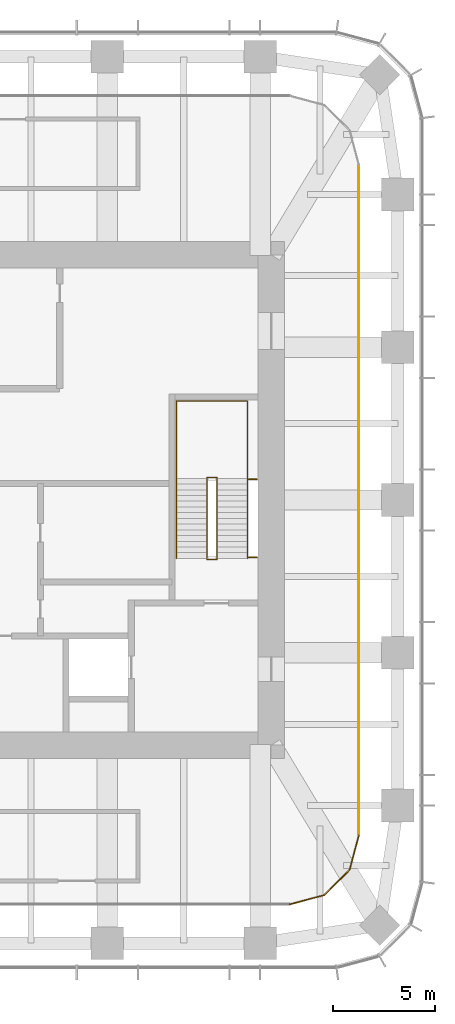
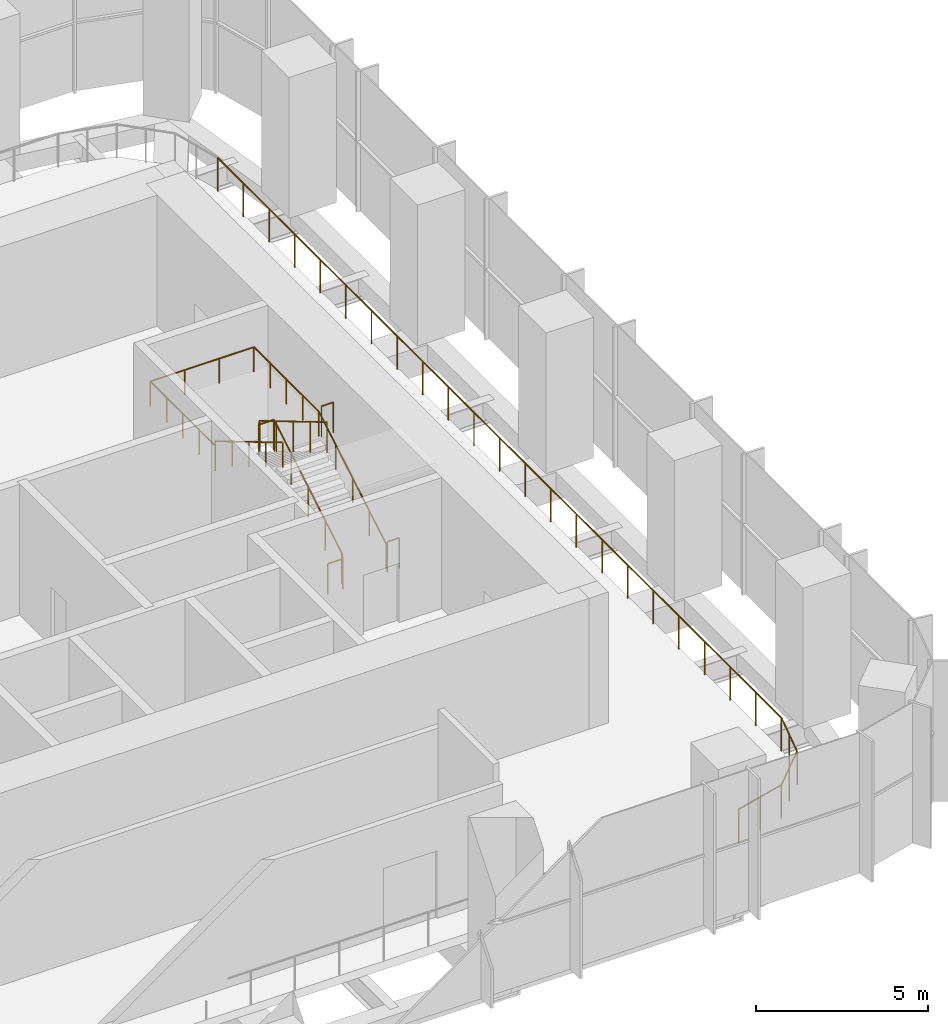
# One storey, part 9 of 10: 6 railings.
"""IFC4 building model written with IfcOpenShell, lengths in metres."""

from ifc_helpers import new_model, si_unit, direction, frame, origin, origin_2d, place, context, subcontext, project, spatial, circle, extrude, material, type_object, element, save


model = new_model("IFC4")

# Units and contexts
model_context = context("Model", 3, precision=1e-05, world=origin(), true_north=direction((0.0, 1.0)))
body_context = subcontext(model_context, "Body", "Model", "MODEL_VIEW")
ifc_project = project(units=[si_unit("LENGTHUNIT", "METRE"), si_unit("AREAUNIT", "SQUARE_METRE"), si_unit("VOLUMEUNIT", "CUBIC_METRE"), si_unit("PLANEANGLEUNIT", "RADIAN"), si_unit("MASSUNIT", "GRAM", prefix="KILO")], contexts=[model_context])

# Site, building, storey
site_placement = place(None, origin())
site = spatial("IfcSite", under=ifc_project, at=site_placement, CompositionType="ELEMENT")
building_placement = place(site_placement, origin())
building = spatial("IfcBuilding", under=site, at=building_placement, Name="Khuree Lantern Residences", CompositionType="ELEMENT")
storey_placement = place(building_placement, frame((0.0, 0.0, 358.25)))
storey = spatial("IfcBuildingStorey", under=building, at=storey_placement, Name="L90", CompositionType="ELEMENT", Elevation=358.25)

# Railings
ifc_material_1 = material(Name="Bronze anodised aluminium balustrade with infill bars", Category="aluminium")
railing_type_1 = type_object("IfcRailingType", Name="GALLERY GUARD G2 1200", PredefinedType="GUARDRAIL", material=ifc_material_1)
railing_1_placement = place(storey_placement, frame((16.39990234375, -19.800048828125, 0.0)))
element("IfcRailing", 1, at=railing_1_placement, inside=storey, type_object=railing_type_1, Name="L90 SOUTH-EAST CORNER GALLERY GUARD", PredefinedType="GUARDRAIL", context=body_context, shape_type="SweptSolid", body=[
    extrude(circle(Radius=0.02392578125, at=origin_2d()), frame((0.0, 0.0, 1.17626953125), z_axis=(0.965925763044, 0.258819281137, 0.0), x_axis=(-0.258819281137, 0.965925763044, 0.0)), (0.0, 0.0, 1.0), 1.76025390625),
    extrude(circle(Radius=0.02392578125, at=origin_2d()), frame((1.7001953125, 0.45556640625, 1.17626953125), z_axis=(0.707106781187, 0.707106781187, 0.0), x_axis=(-0.707106781187, 0.707106781187, 0.0)), (0.0, 0.0, 1.0), 1.759765625),
    extrude(circle(Radius=0.02392578125, at=origin_2d()), frame((2.944580078125, 1.699951171875, 1.17626953125), z_axis=(0.258819281137, 0.965925763044, 0.0), x_axis=(-0.965925763044, 0.258819281137, 0.0)), (0.0, 0.0, 1.0), 1.76025390625),
    extrude(circle(Radius=0.02099609375, at=origin_2d()), origin(), (0.0, 0.0, 1.0), 1.152099609375),
    extrude(circle(Radius=0.02099609375, at=origin_2d()), frame((0.85009765625, 0.227783203125, 0.0)), (0.0, 0.0, 1.0), 1.152099609375),
    extrude(circle(Radius=0.02099609375, at=origin_2d()), frame((1.7001953125, 0.45556640625, 0.0)), (0.0, 0.0, 1.0), 1.152099609375),
    extrude(circle(Radius=0.02099609375, at=origin_2d()), frame((2.322265625, 1.07763671875, 0.0)), (0.0, 0.0, 1.0), 1.152099609375),
    extrude(circle(Radius=0.02099609375, at=origin_2d()), frame((2.944580078125, 1.699951171875, 0.0)), (0.0, 0.0, 1.0), 1.152099609375),
    extrude(circle(Radius=0.02099609375, at=origin_2d()), frame((3.17236328125, 2.550048828125, 0.0)), (0.0, 0.0, 1.0), 1.152099609375),
    extrude(circle(Radius=0.02099609375, at=origin_2d()), frame((3.400146484375, 3.400146484375, 0.0)), (0.0, 0.0, 1.0), 1.152099609375),
])
railing_2_placement = place(storey_placement, frame((19.800048828125, -16.39990234375, 0.0)))
element("IfcRailing", 2, at=railing_2_placement, inside=storey, type_object=railing_type_1, Name="L90 EAST FACE GALLERY GUARD", PredefinedType="GUARDRAIL", context=body_context, shape_type="SweptSolid", body=[
    extrude(circle(Radius=0.02392578125, at=origin_2d()), frame((0.0, 0.0, 1.17626953125), z_axis=(0.0, 1.0, 0.0), x_axis=(-1.0, 0.0, 0.0)), (0.0, 0.0, 1.0), 32.7998046875),
    extrude(circle(Radius=0.02099609375, at=origin_2d()), origin(), (0.0, 0.0, 1.0), 1.152099609375),
    extrude(circle(Radius=0.02099609375, at=origin_2d()), frame((0.0, 1.490966796875, 0.0)), (0.0, 0.0, 1.0), 1.152099609375),
    extrude(circle(Radius=0.02099609375, at=origin_2d()), frame((0.0, 2.981689453125, 0.0)), (0.0, 0.0, 1.0), 1.152099609375),
    extrude(circle(Radius=0.02099609375, at=origin_2d()), frame((0.0, 4.47265625, 0.0)), (0.0, 0.0, 1.0), 1.152099609375),
    extrude(circle(Radius=0.02099609375, at=origin_2d()), frame((0.0, 5.963623046875, 0.0)), (0.0, 0.0, 1.0), 1.152099609375),
    extrude(circle(Radius=0.02099609375, at=origin_2d()), frame((0.0, 7.45458984375, 0.0)), (0.0, 0.0, 1.0), 1.152099609375),
    extrude(circle(Radius=0.02099609375, at=origin_2d()), frame((0.0, 8.9453125, 0.0)), (0.0, 0.0, 1.0), 1.152099609375),
    extrude(circle(Radius=0.02099609375, at=origin_2d()), frame((0.0, 10.436279296875, 0.0)), (0.0, 0.0, 1.0), 1.152099609375),
    extrude(circle(Radius=0.02099609375, at=origin_2d()), frame((0.0, 11.92724609375, 0.0)), (0.0, 0.0, 1.0), 1.152099609375),
    extrude(circle(Radius=0.02099609375, at=origin_2d()), frame((0.0, 13.418212890625, 0.0)), (0.0, 0.0, 1.0), 1.152099609375),
    extrude(circle(Radius=0.02099609375, at=origin_2d()), frame((0.0, 14.908935546875, 0.0)), (0.0, 0.0, 1.0), 1.152099609375),
    extrude(circle(Radius=0.02099609375, at=origin_2d()), frame((0.0, 16.39990234375, 0.0)), (0.0, 0.0, 1.0), 1.152099609375),
    extrude(circle(Radius=0.02099609375, at=origin_2d()), frame((0.0, 17.890869140625, 0.0)), (0.0, 0.0, 1.0), 1.152099609375),
    extrude(circle(Radius=0.02099609375, at=origin_2d()), frame((0.0, 19.381591796875, 0.0)), (0.0, 0.0, 1.0), 1.152099609375),
    extrude(circle(Radius=0.02099609375, at=origin_2d()), frame((0.0, 20.87255859375, 0.0)), (0.0, 0.0, 1.0), 1.152099609375),
    extrude(circle(Radius=0.02099609375, at=origin_2d()), frame((0.0, 22.363525390625, 0.0)), (0.0, 0.0, 1.0), 1.152099609375),
    extrude(circle(Radius=0.02099609375, at=origin_2d()), frame((0.0, 23.8544921875, 0.0)), (0.0, 0.0, 1.0), 1.152099609375),
    extrude(circle(Radius=0.02099609375, at=origin_2d()), frame((0.0, 25.34521484375, 0.0)), (0.0, 0.0, 1.0), 1.152099609375),
    extrude(circle(Radius=0.02099609375, at=origin_2d()), frame((0.0, 26.836181640625, 0.0)), (0.0, 0.0, 1.0), 1.152099609375),
    extrude(circle(Radius=0.02099609375, at=origin_2d()), frame((0.0, 28.3271484375, 0.0)), (0.0, 0.0, 1.0), 1.152099609375),
    extrude(circle(Radius=0.02099609375, at=origin_2d()), frame((0.0, 29.818115234375, 0.0)), (0.0, 0.0, 1.0), 1.152099609375),
    extrude(circle(Radius=0.02099609375, at=origin_2d()), frame((0.0, 31.308837890625, 0.0)), (0.0, 0.0, 1.0), 1.152099609375),
    extrude(circle(Radius=0.02099609375, at=origin_2d()), frame((0.0, 32.7998046875, 0.0)), (0.0, 0.0, 1.0), 1.152099609375),
])
ifc_material_2 = material(Name="Steel S355", Category="steel")
railing_type_2 = type_object("IfcRailingType", Name="STAIR GUARD G1 1100", PredefinedType="GUARDRAIL", material=ifc_material_2)
railing_3_placement = place(storey_placement, frame((12.35009765625, -2.909912109375, 0.0)))
element("IfcRailing", 3, at=railing_3_placement, inside=storey, type_object=railing_type_2, Name="Stair ST2 guard", PredefinedType="GUARDRAIL", context=body_context, shape_type="SweptSolid", body=[
    extrude(circle(Radius=0.02392578125, at=origin_2d()), frame((0.0, 0.0, 1.076171875), z_axis=(1.0, 0.0, 0.0), x_axis=(0.0, 1.0, 0.0)), (0.0, 0.0, 1.0), 0.5),
    extrude(circle(Radius=0.02392578125, at=origin_2d()), frame((0.5, 0.0, 1.076171875), z_axis=(0.0, 0.286189326841, 0.958173089375), x_axis=(-1.0, 0.0, 0.0)), (0.0, 0.0, 1.0), 0.174072265625),
    extrude(circle(Radius=0.02392578125, at=origin_2d()), frame((0.5, 0.0498046875, 1.24267578125), z_axis=(0.0, 0.859310244771, 0.511454693235), x_axis=(-1.0, 0.0, 0.0)), (0.0, 0.0, 1.0), 4.56201171875),
    extrude(circle(Radius=0.02392578125, at=origin_2d()), frame((0.5, 3.969970703125, 3.576171875), z_axis=(0.0, 1.0, 0.0), x_axis=(-1.0, 0.0, 0.0)), (0.0, 0.0, 1.0), 0.050048828125),
    extrude(circle(Radius=0.02392578125, at=origin_2d()), frame((0.5, 4.02001953125, 3.576171875), z_axis=(-1.0, 0.0, 0.0), x_axis=(0.0, -1.0, 0.0)), (0.0, 0.0, 1.0), 0.5),
    extrude(circle(Radius=0.02392578125, at=origin_2d()), frame((0.0, 4.02001953125, 3.576171875), z_axis=(0.0, -0.287476536604, 0.957787680492), x_axis=(1.0, 0.0, 0.0)), (0.0, 0.0, 1.0), 0.174072265625),
    extrude(circle(Radius=0.02392578125, at=origin_2d()), frame((0.0, 3.969970703125, 3.74267578125), z_axis=(0.0, -0.859310244771, 0.511454693235), x_axis=(1.0, 0.0, 0.0)), (0.0, 0.0, 1.0), 4.56201171875),
    extrude(circle(Radius=0.02099609375, at=origin_2d()), origin(), (0.0, 0.0, 1.0), 1.052001953125),
    extrude(circle(Radius=0.02099609375, at=origin_2d()), frame((0.5, 0.0, 0.0)), (0.0, 0.0, 1.0), 1.052001953125),
    extrude(circle(Radius=0.02099609375, at=origin_2d()), frame((0.5, 0.0498046875, 0.166748046875)), (0.0, 0.0, 1.0), 1.052001953125),
    extrude(circle(Radius=0.02099609375, at=origin_2d()), frame((0.5, 1.02978515625, 0.75)), (0.0, 0.0, 1.0), 1.052001953125),
    extrude(circle(Radius=0.02099609375, at=origin_2d()), frame((0.5, 2.009765625, 1.33349609375)), (0.0, 0.0, 1.0), 1.052001953125),
    extrude(circle(Radius=0.02099609375, at=origin_2d()), frame((0.5, 2.989990234375, 1.916748046875)), (0.0, 0.0, 1.0), 1.052001953125),
    extrude(circle(Radius=0.02099609375, at=origin_2d()), frame((0.5, 3.969970703125, 2.5)), (0.0, 0.0, 1.0), 1.052001953125),
    extrude(circle(Radius=0.02099609375, at=origin_2d()), frame((0.5, 4.02001953125, 2.5)), (0.0, 0.0, 1.0), 1.052001953125),
    extrude(circle(Radius=0.02099609375, at=origin_2d()), frame((0.0, 4.02001953125, 2.5)), (0.0, 0.0, 1.0), 1.052001953125),
    extrude(circle(Radius=0.02099609375, at=origin_2d()), frame((0.0, 3.969970703125, 2.666748046875)), (0.0, 0.0, 1.0), 1.052001953125),
    extrude(circle(Radius=0.02099609375, at=origin_2d()), frame((0.0, 2.989990234375, 3.25)), (0.0, 0.0, 1.0), 1.052001953125),
    extrude(circle(Radius=0.02099609375, at=origin_2d()), frame((0.0, 2.009765625, 3.83349609375)), (0.0, 0.0, 1.0), 1.052001953125),
    extrude(circle(Radius=0.02099609375, at=origin_2d()), frame((0.0, 1.02978515625, 4.416748046875)), (0.0, 0.0, 1.0), 1.052001953125),
    extrude(circle(Radius=0.02099609375, at=origin_2d()), frame((0.0, 0.0498046875, 5.0)), (0.0, 0.0, 1.0), 1.052001953125),
])
for number, where, name in (
    (4, (14.800048828125, -2.81005859375, 0.0), "Stair ST2 landing slot guard"),
    (5, (14.800048828125, 1.010009765625, 2.5), "Stair ST2 landing slot guard"),
):
    element("IfcRailing", number, at=place(storey_placement, frame(where)), inside=storey, type_object=railing_type_2, Name=name, PredefinedType="GUARDRAIL", context=body_context, shape_type="SweptSolid", body=[
        extrude(circle(Radius=0.02392578125, at=origin_2d()), frame((0.0, 0.0, 1.076171875), z_axis=(-1.0, 0.0, 0.0), x_axis=(0.0, -1.0, 0.0)), (0.0, 0.0, 1.0), 0.400146484375),
        extrude(circle(Radius=0.02099609375, at=origin_2d()), origin(), (0.0, 0.0, 1.0), 1.052001953125),
        extrude(circle(Radius=0.02099609375, at=origin_2d()), frame((-0.400146484375, 0.0, 0.0)), (0.0, 0.0, 1.0), 1.052001953125),
    ])
railing_type_3 = type_object("IfcRailingType", Name="STAIR HANDRAIL H1 900", PredefinedType="HANDRAIL", material=ifc_material_2)
railing_4_placement = place(storey_placement, frame((14.340087890625, -2.860107421875, 0.166748046875)))
element("IfcRailing", 6, at=railing_4_placement, inside=storey, type_object=railing_type_3, Name="Stair ST2 handrail", PredefinedType="HANDRAIL", context=body_context, shape_type="SweptSolid", body=[
    extrude(circle(Radius=0.02392578125, at=origin_2d()), frame((0.0, 0.0, 0.8759765625), z_axis=(0.0, 0.859310244771, 0.511454693235), x_axis=(-1.0, 0.0, 0.0)), (0.0, 0.0, 1.0), 4.56201171875),
    extrude(circle(Radius=0.02392578125, at=origin_2d()), frame((0.0, 3.920166015625, 3.208984375), z_axis=(0.0, 1.0, 0.0), x_axis=(-1.0, 0.0, 0.0)), (0.0, 0.0, 1.0), 3.780029296875),
    extrude(circle(Radius=0.02392578125, at=origin_2d()), frame((0.0, 7.7001953125, 3.208984375), z_axis=(-1.0, 0.0, 0.0), x_axis=(0.0, -1.0, 0.0)), (0.0, 0.0, 1.0), 3.47998046875),
    extrude(circle(Radius=0.02392578125, at=origin_2d()), frame((-3.47998046875, 7.7001953125, 3.208984375), z_axis=(0.0, -1.0, 0.0), x_axis=(1.0, 0.0, 0.0)), (0.0, 0.0, 1.0), 3.780029296875),
    extrude(circle(Radius=0.02392578125, at=origin_2d()), frame((-3.47998046875, 3.920166015625, 3.208984375), z_axis=(0.0, 0.0, 1.0), x_axis=(1.0, 0.0, 0.0)), (0.0, 0.0, 1.0), 0.166748046875),
    extrude(circle(Radius=0.02392578125, at=origin_2d()), frame((-3.47998046875, 3.920166015625, 3.3759765625), z_axis=(0.0, -0.859310244771, 0.511454693235), x_axis=(1.0, 0.0, 0.0)), (0.0, 0.0, 1.0), 4.56201171875),
    extrude(circle(Radius=0.02099609375, at=origin_2d()), origin(), (0.0, 0.0, 1.0), 0.851806640625),
    extrude(circle(Radius=0.02099609375, at=origin_2d()), frame((0.0, 0.97998046875, 0.583251953125)), (0.0, 0.0, 1.0), 0.851806640625),
    extrude(circle(Radius=0.02099609375, at=origin_2d()), frame((0.0, 1.9599609375, 1.16650390625)), (0.0, 0.0, 1.0), 0.851806640625),
    extrude(circle(Radius=0.02099609375, at=origin_2d()), frame((0.0, 2.940185546875, 1.75)), (0.0, 0.0, 1.0), 0.851806640625),
    extrude(circle(Radius=0.02099609375, at=origin_2d()), frame((0.0, 3.920166015625, 2.333251953125)), (0.0, 0.0, 1.0), 0.851806640625),
    extrude(circle(Radius=0.02099609375, at=origin_2d()), frame((0.0, 4.865234375, 2.333251953125)), (0.0, 0.0, 1.0), 0.851806640625),
    extrude(circle(Radius=0.02099609375, at=origin_2d()), frame((0.0, 5.81005859375, 2.333251953125)), (0.0, 0.0, 1.0), 0.851806640625),
    extrude(circle(Radius=0.02099609375, at=origin_2d()), frame((0.0, 6.755126953125, 2.333251953125)), (0.0, 0.0, 1.0), 0.851806640625),
    extrude(circle(Radius=0.02099609375, at=origin_2d()), frame((0.0, 7.7001953125, 2.333251953125)), (0.0, 0.0, 1.0), 0.851806640625),
    extrude(circle(Radius=0.02099609375, at=origin_2d()), frame((-1.159912109375, 7.7001953125, 2.333251953125)), (0.0, 0.0, 1.0), 0.851806640625),
    extrude(circle(Radius=0.02099609375, at=origin_2d()), frame((-2.320068359375, 7.7001953125, 2.333251953125)), (0.0, 0.0, 1.0), 0.851806640625),
    extrude(circle(Radius=0.02099609375, at=origin_2d()), frame((-3.47998046875, 7.7001953125, 2.333251953125)), (0.0, 0.0, 1.0), 0.851806640625),
    extrude(circle(Radius=0.02099609375, at=origin_2d()), frame((-3.47998046875, 6.755126953125, 2.333251953125)), (0.0, 0.0, 1.0), 0.851806640625),
    extrude(circle(Radius=0.02099609375, at=origin_2d()), frame((-3.47998046875, 5.81005859375, 2.333251953125)), (0.0, 0.0, 1.0), 0.851806640625),
    extrude(circle(Radius=0.02099609375, at=origin_2d()), frame((-3.47998046875, 4.865234375, 2.333251953125)), (0.0, 0.0, 1.0), 0.851806640625),
    extrude(circle(Radius=0.02099609375, at=origin_2d()), frame((-3.47998046875, 3.920166015625, 2.333251953125)), (0.0, 0.0, 1.0), 0.851806640625),
    extrude(circle(Radius=0.02099609375, at=origin_2d()), frame((-3.47998046875, 3.920166015625, 2.5)), (0.0, 0.0, 1.0), 0.851806640625),
    extrude(circle(Radius=0.02099609375, at=origin_2d()), frame((-3.47998046875, 2.940185546875, 3.083251953125)), (0.0, 0.0, 1.0), 0.851806640625),
    extrude(circle(Radius=0.02099609375, at=origin_2d()), frame((-3.47998046875, 1.9599609375, 3.66650390625)), (0.0, 0.0, 1.0), 0.851806640625),
    extrude(circle(Radius=0.02099609375, at=origin_2d()), frame((-3.47998046875, 0.97998046875, 4.25)), (0.0, 0.0, 1.0), 0.851806640625),
    extrude(circle(Radius=0.02099609375, at=origin_2d()), frame((-3.47998046875, 0.0, 4.833251953125)), (0.0, 0.0, 1.0), 0.851806640625),
])

save(model, "model.ifc")
